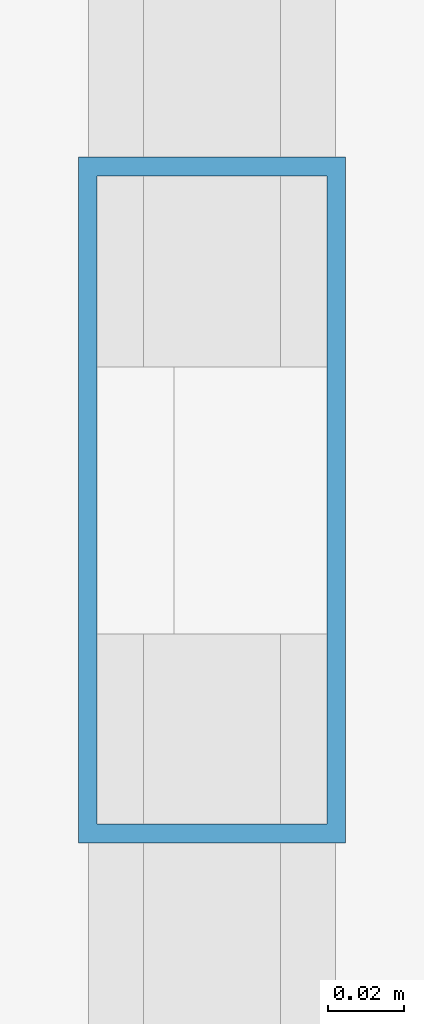
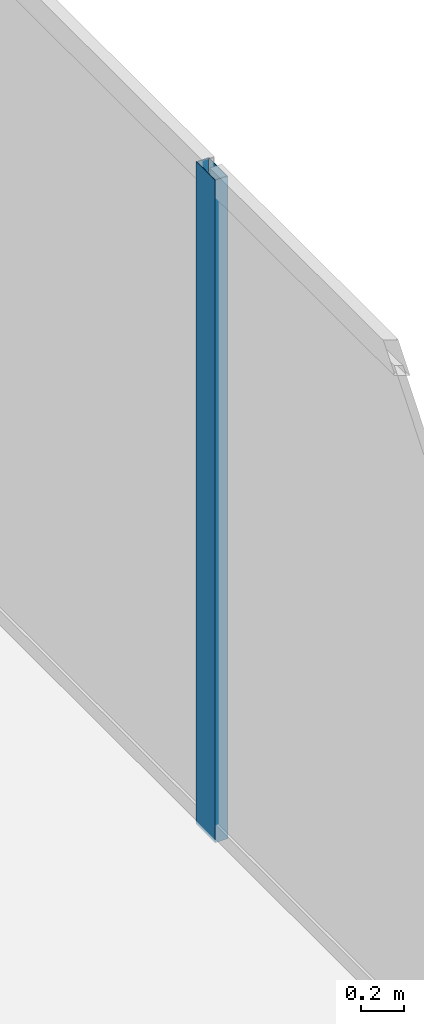
# One storey, part 24 of 36: 1 member, 1 element without a shape of its own.
"""IFC4 building model written with IfcOpenShell, lengths in metres."""

import ifcopenshell
import ifcopenshell.guid

model = None  # the IFC model being written
_history = None  # IfcOwnerHistory: only IFC2X3 demands one
_inside = {}  # id of a spatial element -> (the spatial element, [elements in it])
_under = {}  # id of a project, library or spatial element -> (it, [spatial elements below it])
_declared = {}  # id of a project -> (the project, [libraries it declares])
_typed = {}  # id of a type object -> (the type object, [elements of that type])
_made_of = {}  # id of a material, layer set ... -> (it, [elements and type objects made of it])


def new_model(schema):
    """Start an empty IFC model of exactly this schema.

    Asked for "IFC4X3", IfcOpenShell would pick the latest addendum, in which some entities
    have other attributes; the version numbers below select the first issue.
    IFC2X3 requires an IfcOwnerHistory on every rooted entity: one is made here for all.
    """
    global model, _history
    if schema == "IFC4X3":
        model = ifcopenshell.file(schema_version=(4, 3, 0, 0))
    else:
        model = ifcopenshell.file(schema=schema)
    _inside.clear()
    _under.clear()
    _declared.clear()
    _typed.clear()
    _made_of.clear()
    _history = None
    if model.schema == "IFC2X3":
        org = make("IfcOrganization", Name="unknown")
        user = make(
            "IfcPersonAndOrganization",
            ThePerson=make("IfcPerson", FamilyName="unknown"),
            TheOrganization=org,
        )
        app = make(
            "IfcApplication",
            ApplicationDeveloper=org,
            Version="unknown",
            ApplicationFullName="unknown",
            ApplicationIdentifier="unknown",
        )
        _history = make(
            "IfcOwnerHistory",
            OwningUser=user,
            OwningApplication=app,
            ChangeAction="ADDED",
            CreationDate=0,
        )
    return model


def make(cls, **values):
    """One entity of the class cls with the attributes given. An attribute that is None is left unset."""
    return model.create_entity(
        cls, **{name: value for name, value in values.items() if value is not None}
    )


def rooted(cls, **values):
    """An entity with a GlobalId (a new one), such as an element, a storey or a relation."""
    return make(cls, GlobalId=ifcopenshell.guid.new(), OwnerHistory=_history, **values)


def si_unit(unit_type, name, prefix=None):
    """IfcSIUnit, for example si_unit("LENGTHUNIT", "METRE", prefix="MILLI")."""
    return make("IfcSIUnit", UnitType=unit_type, Prefix=prefix, Name=name)


def assignment(units):
    """IfcUnitAssignment: the units of a project."""
    return None if units is None else make("IfcUnitAssignment", Units=units)


def point(xyz):
    """IfcCartesianPoint."""
    return None if xyz is None else make("IfcCartesianPoint", Coordinates=xyz)


def direction(xyz):
    """IfcDirection."""
    return None if xyz is None else make("IfcDirection", DirectionRatios=xyz)


def frame(location, z_axis=None, x_axis=None):
    """IfcAxis2Placement3D, a coordinate frame: its origin and axes. An axis left out is left unset."""
    return make(
        "IfcAxis2Placement3D",
        Location=point(location),
        Axis=direction(z_axis),
        RefDirection=direction(x_axis),
    )


def frame_2d(location, x_axis=None):
    """IfcAxis2Placement2D, a coordinate frame in the plane: its origin and x axis."""
    return make(
        "IfcAxis2Placement2D", Location=point(location), RefDirection=direction(x_axis)
    )


def origin():
    """The frame at (0, 0, 0) with its axes left unset."""
    return frame((0.0, 0.0, 0.0))


def origin_2d():
    """The frame at (0, 0) in the plane with its x axis left unset."""
    return frame_2d((0.0, 0.0))


def place(relative_to, where):
    """IfcLocalPlacement: puts the frame where relative to a parent placement (None: the world)."""
    return make(
        "IfcLocalPlacement", PlacementRelTo=relative_to, RelativePlacement=where
    )


def context(
    kind, dimensions, precision=None, world=None, true_north=None, identifier=None
):
    """IfcGeometricRepresentationContext, for example the 3D "Model" context."""
    return make(
        "IfcGeometricRepresentationContext",
        ContextIdentifier=identifier,
        ContextType=kind,
        CoordinateSpaceDimension=dimensions,
        Precision=precision,
        WorldCoordinateSystem=world,
        TrueNorth=true_north,
    )


def subcontext(parent, identifier, kind, view, scale=None):
    """IfcGeometricRepresentationSubContext, for example "Body" below "Model"."""
    return make(
        "IfcGeometricRepresentationSubContext",
        ContextIdentifier=identifier,
        ContextType=kind,
        ParentContext=parent,
        TargetScale=scale,
        TargetView=view,
    )


def project(units=None, contexts=None):
    """IfcProject with its units and contexts."""
    return rooted(
        "IfcProject",
        Name="project",
        RepresentationContexts=contexts,
        UnitsInContext=assignment(units),
    )


def spatial(cls, under=None, at=None, **own):
    """A site, building, storey or space (cls), placed at a placement, below another one or the project."""
    s = rooted(cls, ObjectPlacement=at, **own)
    if under is not None:
        _under.setdefault(under.id(), (under, []))[1].append(s)
    return s


def profile(cls, at=None, kind="AREA", **sizes):
    """A parametric profile (cls). Its sizes go by their IFC names, for example OverallWidth=200.0."""
    return make(cls, ProfileType=kind, Position=at, **sizes)


def hollow_rectangle(**sizes):
    """IfcRectangleHollowProfileDef."""
    return profile("IfcRectangleHollowProfileDef", **sizes)


def extrude(swept, where, along, depth):
    """IfcExtrudedAreaSolid: the profile swept, set in the frame where, extruded along a direction by depth."""
    return make(
        "IfcExtrudedAreaSolid",
        SweptArea=swept,
        Position=where,
        ExtrudedDirection=direction(along),
        Depth=depth,
    )


def shape(context_of_items, identifier, shape_type, items):
    """IfcShapeRepresentation: the items that make up one representation, for example the "Body"."""
    return make(
        "IfcShapeRepresentation",
        ContextOfItems=context_of_items,
        RepresentationIdentifier=identifier,
        RepresentationType=shape_type,
        Items=items,
    )


def source(mapping_origin, context_of_items, identifier, shape_type, items):
    """IfcRepresentationMap: a shape defined once, which mapped items show again and again."""
    return make(
        "IfcRepresentationMap",
        MappingOrigin=mapping_origin,
        MappedRepresentation=shape(context_of_items, identifier, shape_type, items),
    )


def transform(
    local_origin,
    x_axis=None,
    y_axis=None,
    z_axis=None,
    scale=None,
    scale2=None,
    scale3=None,
    uniform=True,
):
    """IfcCartesianTransformationOperator3D, or its non-uniform kind. x_axis, y_axis, z_axis: its Axis1, 2, 3."""
    if uniform:
        return make(
            "IfcCartesianTransformationOperator3D",
            Axis1=direction(x_axis),
            Axis2=direction(y_axis),
            LocalOrigin=point(local_origin),
            Scale=scale,
            Axis3=direction(z_axis),
        )
    return make(
        "IfcCartesianTransformationOperator3DnonUniform",
        Axis1=direction(x_axis),
        Axis2=direction(y_axis),
        LocalOrigin=point(local_origin),
        Scale=scale,
        Axis3=direction(z_axis),
        Scale2=scale2,
        Scale3=scale3,
    )


def mapped(mapping_source, mapping_target):
    """IfcMappedItem: shows the shape of a source again, moved by a transform."""
    return make(
        "IfcMappedItem", MappingSource=mapping_source, MappingTarget=mapping_target
    )


def material(Name=None, Category=None):
    """IfcMaterial."""
    return make("IfcMaterial", Name=Name, Category=Category)


def layer(
    of_material, thickness, ventilated=None, Name=None, Category=None, Priority=None
):
    """IfcMaterialLayer: one layer of a wall or slab, of a material (None: an air gap)."""
    return make(
        "IfcMaterialLayer",
        Material=of_material,
        LayerThickness=thickness,
        IsVentilated=ventilated,
        Name=Name,
        Category=Category,
        Priority=Priority,
    )


def layer_set(layers, Name=None):
    """IfcMaterialLayerSet."""
    return make("IfcMaterialLayerSet", MaterialLayers=layers, LayerSetName=Name)


def material_profile(
    of_material, cross_section, Name=None, Category=None, Priority=None
):
    """IfcMaterialProfile: a cross section and its material."""
    return make(
        "IfcMaterialProfile",
        Name=Name,
        Material=of_material,
        Profile=cross_section,
        Priority=Priority,
        Category=Category,
    )


def profile_set(profiles, Name=None, composite=None):
    """IfcMaterialProfileSet."""
    return make(
        "IfcMaterialProfileSet",
        Name=Name,
        MaterialProfiles=profiles,
        CompositeProfile=composite,
    )


def made_of(thing, what):
    """Note that an element or type object is made of a material, layer set ...; save() writes the relation."""
    if what is not None:
        _made_of.setdefault(what.id(), (what, []))[1].append(thing)
    return thing


def type_object(cls, material=None, **own):
    """A type object (cls), such as IfcWallType, which elements share."""
    return made_of(rooted(cls, **own), material)


def type_shapes(of_type, sources):
    """Give a type object the sources (RepresentationMaps) that its elements show as mapped items."""
    of_type.RepresentationMaps = sources


def element(
    cls,
    number,
    at=None,
    inside=None,
    cuts=None,
    type_object=None,
    material=None,
    context=None,
    identifier="Body",
    shape_type=None,
    held_by="IfcProductDefinitionShape",
    body=None,
    shapes=None,
    **own,
):
    """One element of the class cls, such as IfcWall. Its Tag is "e" and its number.

    at: its placement. inside: the storey or other place that contains it. cuts: it is an
    opening in that element (IfcRelVoidsElement). A single representation is given by context,
    identifier, shape_type and body (its items); several are given by shapes. held_by: the class
    of the entity that holds the representations. save() writes the other relations.
    """
    e = rooted(cls, Tag="e%d" % number, ObjectPlacement=at, **own)
    if body is not None:
        shapes = [shape(context, identifier, shape_type, body)]
    if shapes is not None:
        e.Representation = make(held_by, Representations=shapes)
    if inside is not None:
        _inside.setdefault(inside.id(), (inside, []))[1].append(e)
    if cuts is not None:
        rooted(
            "IfcRelVoidsElement", RelatingBuildingElement=cuts, RelatedOpeningElement=e
        )
    if type_object is not None:
        _typed.setdefault(type_object.id(), (type_object, []))[1].append(e)
    return made_of(e, material)


def aggregate(whole, parts):
    """IfcRelAggregates: a whole, such as a stair, and the parts it consists of."""
    return rooted("IfcRelAggregates", RelatingObject=whole, RelatedObjects=parts)


def save(model, path):
    """Write the relations noted so far, then the file.

    IfcRelAggregates (storeys below a building ...), IfcRelContainedInSpatialStructure (elements
    in a storey), IfcRelDefinesByType, IfcRelAssociatesMaterial and IfcRelDeclares: one each for
    every whole, place, type object, material and project.
    """
    for whole, parts in _under.values():
        aggregate(whole, parts)
    for where, things in _inside.values():
        rooted(
            "IfcRelContainedInSpatialStructure",
            RelatedElements=things,
            RelatingStructure=where,
        )
    for kind, things in _typed.values():
        rooted("IfcRelDefinesByType", RelatedObjects=things, RelatingType=kind)
    for what, things in _made_of.values():
        rooted("IfcRelAssociatesMaterial", RelatedObjects=things, RelatingMaterial=what)
    for by, libraries in _declared.values():
        rooted("IfcRelDeclares", RelatingContext=by, RelatedDefinitions=libraries)
    model.write(path)


model = new_model("IFC4")

# Units and contexts
model_context = context("Model", 3, precision=1e-05, world=origin(), true_north=direction((0.0, 1.0)))
body_context = subcontext(model_context, "Body", "Model", "MODEL_VIEW")
ifc_project = project(units=[si_unit("LENGTHUNIT", "METRE"), si_unit("AREAUNIT", "SQUARE_METRE"), si_unit("VOLUMEUNIT", "CUBIC_METRE"), si_unit("PLANEANGLEUNIT", "RADIAN"), si_unit("MASSUNIT", "GRAM", prefix="KILO")], contexts=[model_context])

# Site, building, storey
site_placement = place(None, origin())
site = spatial("IfcSite", under=ifc_project, at=site_placement, CompositionType="ELEMENT")
building_placement = place(site_placement, origin())
building = spatial("IfcBuilding", under=site, at=building_placement, Name="Haelvirn Gate Laboratories", CompositionType="ELEMENT")
storey_placement = place(building_placement, frame((0.0, 0.0, 254.699951171875)))
storey = spatial("IfcBuildingStorey", under=building, at=storey_placement, Name="L61", CompositionType="ELEMENT", Elevation=254.699951171875)

# Curtain wall, member
ifc_material_1 = material(Name="Anodised bronze unitised aluminium & triple low-E glass", Category="aluminium")
ifc_layer = layer(ifc_material_1, 0.176025390625, Name="CW-SYS-4")
ifc_layer_set = layer_set([ifc_layer], Name="Anodised bronze unitised aluminium & triple low-E glass")
curtain_wall_type = type_object("IfcCurtainWallType", Name="CW-SYS-4", PredefinedType="NOTDEFINED", material=ifc_layer_set)
curtain_wall_placement = place(storey_placement, origin())
curtain_wall = element("IfcCurtainWall", 1, at=curtain_wall_placement, inside=storey, type_object=curtain_wall_type, Name="L61 Unitised Curtain Wall CW-L61-P0-E07", PredefinedType="NOTDEFINED")
ifc_material_2 = material(Name="Extruded aluminium 6063-T6 (anodised bronze)", Category="aluminium")
ifc_material_profile = material_profile(ifc_material_2, hollow_rectangle(XDim=0.070068359375, YDim=0.179931640625, WallThickness=0.0048828125, at=origin_2d()), Name="CWM-180x70x5")
ifc_profile_set = profile_set([ifc_material_profile], Name="Extruded aluminium 6063-T6 (anodised bronze)")
member_type = type_object("IfcMemberType", Name="CWM-T180", PredefinedType="MULLION", material=ifc_profile_set)
shared_shape = source(origin(), body_context, "Body", "SweptSolid", [
    extrude(hollow_rectangle(XDim=0.070068359375, YDim=0.179931640625, WallThickness=0.0048828125, at=origin_2d()), origin(), (0.0, 0.0, 1.0), 3.800048828125),
])
type_shapes(member_type, [shared_shape])
member_placement = place(storey_placement, frame((70.699951171875, 24.300048828125, 0.0), z_axis=(0.0, 0.0, 1.0), x_axis=(-1.0, 0.0, 0.0)))
member = element("IfcMember", 2, at=member_placement, type_object=member_type, Name="CW4 mullion 2", PredefinedType="MULLION", context=body_context, shape_type="MappedRepresentation", body=[
    mapped(shared_shape, transform((0.0, 0.0, 0.0), scale=1.0)),
])
aggregate(curtain_wall, [member])

save(model, "model.ifc")
